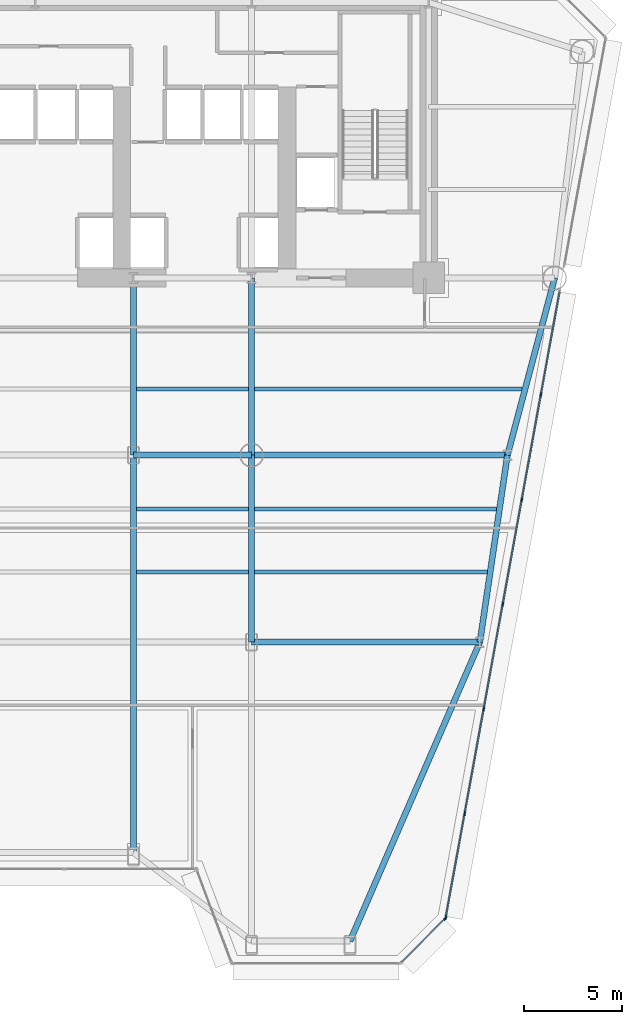
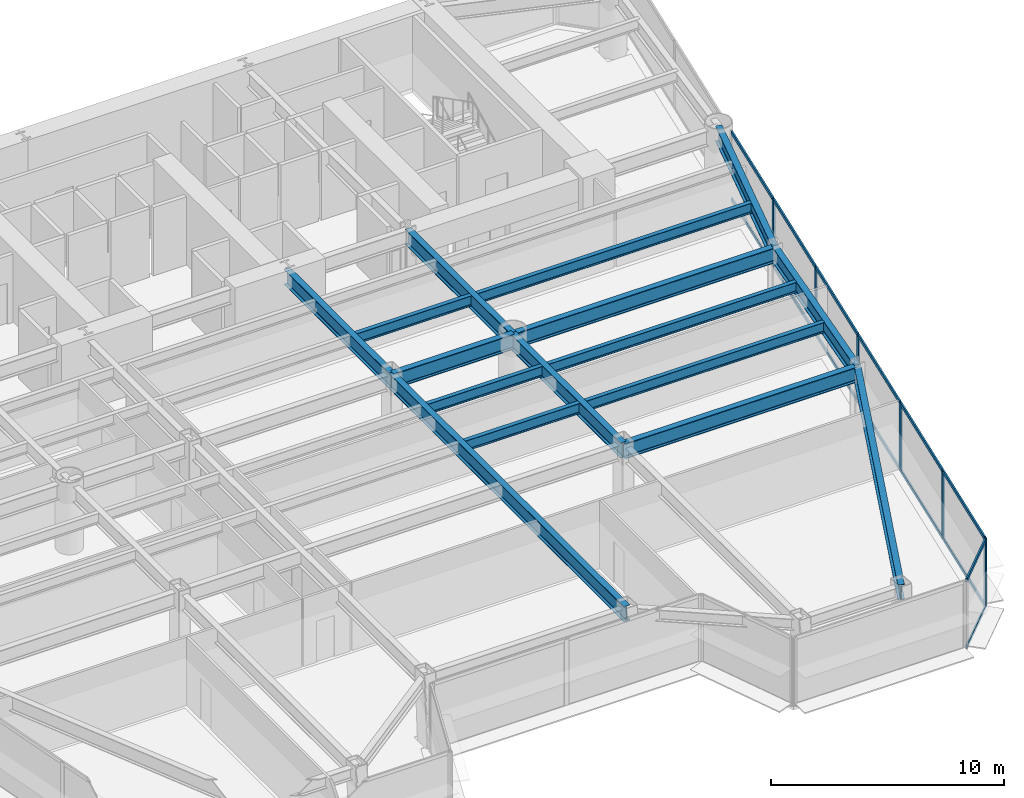
# One storey, part 4 of 14: 21 members, 16 beams, 2 elements without a shape of their own.
"""IFC4 building model written with IfcOpenShell, lengths in metres."""

import ifcopenshell
import ifcopenshell.guid

model = None  # the IFC model being written
_history = None  # IfcOwnerHistory: only IFC2X3 demands one
_inside = {}  # id of a spatial element -> (the spatial element, [elements in it])
_under = {}  # id of a project, library or spatial element -> (it, [spatial elements below it])
_declared = {}  # id of a project -> (the project, [libraries it declares])
_typed = {}  # id of a type object -> (the type object, [elements of that type])
_made_of = {}  # id of a material, layer set ... -> (it, [elements and type objects made of it])


def new_model(schema):
    """Start an empty IFC model of exactly this schema.

    Asked for "IFC4X3", IfcOpenShell would pick the latest addendum, in which some entities
    have other attributes; the version numbers below select the first issue.
    IFC2X3 requires an IfcOwnerHistory on every rooted entity: one is made here for all.
    """
    global model, _history
    if schema == "IFC4X3":
        model = ifcopenshell.file(schema_version=(4, 3, 0, 0))
    else:
        model = ifcopenshell.file(schema=schema)
    _inside.clear()
    _under.clear()
    _declared.clear()
    _typed.clear()
    _made_of.clear()
    _history = None
    if model.schema == "IFC2X3":
        org = make("IfcOrganization", Name="unknown")
        user = make(
            "IfcPersonAndOrganization",
            ThePerson=make("IfcPerson", FamilyName="unknown"),
            TheOrganization=org,
        )
        app = make(
            "IfcApplication",
            ApplicationDeveloper=org,
            Version="unknown",
            ApplicationFullName="unknown",
            ApplicationIdentifier="unknown",
        )
        _history = make(
            "IfcOwnerHistory",
            OwningUser=user,
            OwningApplication=app,
            ChangeAction="ADDED",
            CreationDate=0,
        )
    return model


def make(cls, **values):
    """One entity of the class cls with the attributes given. An attribute that is None is left unset."""
    return model.create_entity(
        cls, **{name: value for name, value in values.items() if value is not None}
    )


def rooted(cls, **values):
    """An entity with a GlobalId (a new one), such as an element, a storey or a relation."""
    return make(cls, GlobalId=ifcopenshell.guid.new(), OwnerHistory=_history, **values)


def si_unit(unit_type, name, prefix=None):
    """IfcSIUnit, for example si_unit("LENGTHUNIT", "METRE", prefix="MILLI")."""
    return make("IfcSIUnit", UnitType=unit_type, Prefix=prefix, Name=name)


def assignment(units):
    """IfcUnitAssignment: the units of a project."""
    return None if units is None else make("IfcUnitAssignment", Units=units)


def point(xyz):
    """IfcCartesianPoint."""
    return None if xyz is None else make("IfcCartesianPoint", Coordinates=xyz)


def direction(xyz):
    """IfcDirection."""
    return None if xyz is None else make("IfcDirection", DirectionRatios=xyz)


def frame(location, z_axis=None, x_axis=None):
    """IfcAxis2Placement3D, a coordinate frame: its origin and axes. An axis left out is left unset."""
    return make(
        "IfcAxis2Placement3D",
        Location=point(location),
        Axis=direction(z_axis),
        RefDirection=direction(x_axis),
    )


def frame_2d(location, x_axis=None):
    """IfcAxis2Placement2D, a coordinate frame in the plane: its origin and x axis."""
    return make(
        "IfcAxis2Placement2D", Location=point(location), RefDirection=direction(x_axis)
    )


def origin():
    """The frame at (0, 0, 0) with its axes left unset."""
    return frame((0.0, 0.0, 0.0))


def origin_2d():
    """The frame at (0, 0) in the plane with its x axis left unset."""
    return frame_2d((0.0, 0.0))


def place(relative_to, where):
    """IfcLocalPlacement: puts the frame where relative to a parent placement (None: the world)."""
    return make(
        "IfcLocalPlacement", PlacementRelTo=relative_to, RelativePlacement=where
    )


def context(
    kind, dimensions, precision=None, world=None, true_north=None, identifier=None
):
    """IfcGeometricRepresentationContext, for example the 3D "Model" context."""
    return make(
        "IfcGeometricRepresentationContext",
        ContextIdentifier=identifier,
        ContextType=kind,
        CoordinateSpaceDimension=dimensions,
        Precision=precision,
        WorldCoordinateSystem=world,
        TrueNorth=true_north,
    )


def subcontext(parent, identifier, kind, view, scale=None):
    """IfcGeometricRepresentationSubContext, for example "Body" below "Model"."""
    return make(
        "IfcGeometricRepresentationSubContext",
        ContextIdentifier=identifier,
        ContextType=kind,
        ParentContext=parent,
        TargetScale=scale,
        TargetView=view,
    )


def project(units=None, contexts=None):
    """IfcProject with its units and contexts."""
    return rooted(
        "IfcProject",
        Name="project",
        RepresentationContexts=contexts,
        UnitsInContext=assignment(units),
    )


def spatial(cls, under=None, at=None, **own):
    """A site, building, storey or space (cls), placed at a placement, below another one or the project."""
    s = rooted(cls, ObjectPlacement=at, **own)
    if under is not None:
        _under.setdefault(under.id(), (under, []))[1].append(s)
    return s


def profile(cls, at=None, kind="AREA", **sizes):
    """A parametric profile (cls). Its sizes go by their IFC names, for example OverallWidth=200.0."""
    return make(cls, ProfileType=kind, Position=at, **sizes)


def rectangle(**sizes):
    """IfcRectangleProfileDef."""
    return profile("IfcRectangleProfileDef", **sizes)


def i_section(**sizes):
    """IfcIShapeProfileDef."""
    return profile("IfcIShapeProfileDef", **sizes)


def extrude(swept, where, along, depth):
    """IfcExtrudedAreaSolid: the profile swept, set in the frame where, extruded along a direction by depth."""
    return make(
        "IfcExtrudedAreaSolid",
        SweptArea=swept,
        Position=where,
        ExtrudedDirection=direction(along),
        Depth=depth,
    )


def shape(context_of_items, identifier, shape_type, items):
    """IfcShapeRepresentation: the items that make up one representation, for example the "Body"."""
    return make(
        "IfcShapeRepresentation",
        ContextOfItems=context_of_items,
        RepresentationIdentifier=identifier,
        RepresentationType=shape_type,
        Items=items,
    )


def source(mapping_origin, context_of_items, identifier, shape_type, items):
    """IfcRepresentationMap: a shape defined once, which mapped items show again and again."""
    return make(
        "IfcRepresentationMap",
        MappingOrigin=mapping_origin,
        MappedRepresentation=shape(context_of_items, identifier, shape_type, items),
    )


def transform(
    local_origin,
    x_axis=None,
    y_axis=None,
    z_axis=None,
    scale=None,
    scale2=None,
    scale3=None,
    uniform=True,
):
    """IfcCartesianTransformationOperator3D, or its non-uniform kind. x_axis, y_axis, z_axis: its Axis1, 2, 3."""
    if uniform:
        return make(
            "IfcCartesianTransformationOperator3D",
            Axis1=direction(x_axis),
            Axis2=direction(y_axis),
            LocalOrigin=point(local_origin),
            Scale=scale,
            Axis3=direction(z_axis),
        )
    return make(
        "IfcCartesianTransformationOperator3DnonUniform",
        Axis1=direction(x_axis),
        Axis2=direction(y_axis),
        LocalOrigin=point(local_origin),
        Scale=scale,
        Axis3=direction(z_axis),
        Scale2=scale2,
        Scale3=scale3,
    )


def mapped(mapping_source, mapping_target):
    """IfcMappedItem: shows the shape of a source again, moved by a transform."""
    return make(
        "IfcMappedItem", MappingSource=mapping_source, MappingTarget=mapping_target
    )


def material(Name=None, Category=None):
    """IfcMaterial."""
    return make("IfcMaterial", Name=Name, Category=Category)


def layer(
    of_material, thickness, ventilated=None, Name=None, Category=None, Priority=None
):
    """IfcMaterialLayer: one layer of a wall or slab, of a material (None: an air gap)."""
    return make(
        "IfcMaterialLayer",
        Material=of_material,
        LayerThickness=thickness,
        IsVentilated=ventilated,
        Name=Name,
        Category=Category,
        Priority=Priority,
    )


def layer_set(layers, Name=None):
    """IfcMaterialLayerSet."""
    return make("IfcMaterialLayerSet", MaterialLayers=layers, LayerSetName=Name)


def material_profile(
    of_material, cross_section, Name=None, Category=None, Priority=None
):
    """IfcMaterialProfile: a cross section and its material."""
    return make(
        "IfcMaterialProfile",
        Name=Name,
        Material=of_material,
        Profile=cross_section,
        Priority=Priority,
        Category=Category,
    )


def profile_set(profiles, Name=None, composite=None):
    """IfcMaterialProfileSet."""
    return make(
        "IfcMaterialProfileSet",
        Name=Name,
        MaterialProfiles=profiles,
        CompositeProfile=composite,
    )


def made_of(thing, what):
    """Note that an element or type object is made of a material, layer set ...; save() writes the relation."""
    if what is not None:
        _made_of.setdefault(what.id(), (what, []))[1].append(thing)
    return thing


def type_object(cls, material=None, **own):
    """A type object (cls), such as IfcWallType, which elements share."""
    return made_of(rooted(cls, **own), material)


def element(
    cls,
    number,
    at=None,
    inside=None,
    cuts=None,
    type_object=None,
    material=None,
    context=None,
    identifier="Body",
    shape_type=None,
    held_by="IfcProductDefinitionShape",
    body=None,
    shapes=None,
    **own,
):
    """One element of the class cls, such as IfcWall. Its Tag is "e" and its number.

    at: its placement. inside: the storey or other place that contains it. cuts: it is an
    opening in that element (IfcRelVoidsElement). A single representation is given by context,
    identifier, shape_type and body (its items); several are given by shapes. held_by: the class
    of the entity that holds the representations. save() writes the other relations.
    """
    e = rooted(cls, Tag="e%d" % number, ObjectPlacement=at, **own)
    if body is not None:
        shapes = [shape(context, identifier, shape_type, body)]
    if shapes is not None:
        e.Representation = make(held_by, Representations=shapes)
    if inside is not None:
        _inside.setdefault(inside.id(), (inside, []))[1].append(e)
    if cuts is not None:
        rooted(
            "IfcRelVoidsElement", RelatingBuildingElement=cuts, RelatedOpeningElement=e
        )
    if type_object is not None:
        _typed.setdefault(type_object.id(), (type_object, []))[1].append(e)
    return made_of(e, material)


def aggregate(whole, parts):
    """IfcRelAggregates: a whole, such as a stair, and the parts it consists of."""
    return rooted("IfcRelAggregates", RelatingObject=whole, RelatedObjects=parts)


def save(model, path):
    """Write the relations noted so far, then the file.

    IfcRelAggregates (storeys below a building ...), IfcRelContainedInSpatialStructure (elements
    in a storey), IfcRelDefinesByType, IfcRelAssociatesMaterial and IfcRelDeclares: one each for
    every whole, place, type object, material and project.
    """
    for whole, parts in _under.values():
        aggregate(whole, parts)
    for where, things in _inside.values():
        rooted(
            "IfcRelContainedInSpatialStructure",
            RelatedElements=things,
            RelatingStructure=where,
        )
    for kind, things in _typed.values():
        rooted("IfcRelDefinesByType", RelatedObjects=things, RelatingType=kind)
    for what, things in _made_of.values():
        rooted("IfcRelAssociatesMaterial", RelatedObjects=things, RelatingMaterial=what)
    for by, libraries in _declared.values():
        rooted("IfcRelDeclares", RelatingContext=by, RelatedDefinitions=libraries)
    model.write(path)


model = new_model("IFC4")

# Units and contexts
model_context = context("Model", 3, precision=1e-05, world=origin(), true_north=direction((0.0, 1.0)))
body_context = subcontext(model_context, "Body", "Model", "MODEL_VIEW")
ifc_project = project(units=[si_unit("LENGTHUNIT", "METRE"), si_unit("AREAUNIT", "SQUARE_METRE"), si_unit("VOLUMEUNIT", "CUBIC_METRE"), si_unit("PLANEANGLEUNIT", "RADIAN"), si_unit("MASSUNIT", "GRAM", prefix="KILO")], contexts=[model_context])

# Site, building, storey
site_placement = place(None, origin())
site = spatial("IfcSite", under=ifc_project, at=site_placement, CompositionType="ELEMENT")
building_placement = place(site_placement, origin())
building = spatial("IfcBuilding", under=site, at=building_placement, Name="Vaeldorn Concourse Tower", CompositionType="ELEMENT")
storey_placement = place(building_placement, frame((0.0, 0.0, 45.39990234375)))
storey = spatial("IfcBuildingStorey", under=building, at=storey_placement, Name="L11", CompositionType="ELEMENT", Elevation=45.39990234375)

# Beams
ifc_material_1 = material(Name="Steel S355", Category="steel")
ifc_material_profile_1 = material_profile(ifc_material_1, i_section(OverallWidth=0.300048828125, OverallDepth=0.800048828125, WebThickness=0.017578125, FlangeThickness=0.032958984375, FilletRadius=0.030029296875, at=origin_2d()), Name="HEB 800")
ifc_profile_set_1 = profile_set([ifc_material_profile_1], Name="Steel S355")
beam_type_1 = type_object("IfcBeamType", Name="BM-PG-HEB800", PredefinedType="BEAM", material=ifc_profile_set_1)
shared_shape_1 = source(origin(), body_context, "Body", "SweptSolid", [
    extrude(i_section(OverallWidth=0.300048828125, OverallDepth=0.800048828125, WebThickness=0.017578125, FlangeThickness=0.032958984375, FilletRadius=0.030029296875, at=origin_2d()), origin(), (0.0, 0.0, 1.0), 6.0),
])
beam_1_placement = place(storey_placement, frame((39.0, 27.5, 3.18017578125), z_axis=(1.0, 0.0, 0.0), x_axis=(0.0, 1.0, 0.0)))
element("IfcBeam", 1, at=beam_1_placement, inside=storey, type_object=beam_type_1, Name="Beam BM-L11-C-TW3-C-TW4", PredefinedType="BEAM", context=body_context, shape_type="MappedRepresentation", body=[
    mapped(shared_shape_1, transform((0.0, 0.0, 0.0), scale=1.0)),
])
shared_shape_2 = source(origin(), body_context, "Body", "SweptSolid", [
    extrude(i_section(OverallWidth=0.300048828125, OverallDepth=0.800048828125, WebThickness=0.017578125, FlangeThickness=0.032958984375, FilletRadius=0.030029296875, at=origin_2d()), origin(), (0.0, 0.0, 1.0), 9.0),
])
for number, where, z_axis, x_axis, name in (
    (2, (39.0, 27.5, 3.18017578125), (0.0, 1.0, 0.0), (-1.0, 0.0, 0.0), "Beam BM-L11-C-TW3-C-FC4"),
    (3, (45.0, 27.5, 3.18017578125), (0.0, 1.0, 0.0), (-1.0, 0.0, 0.0), "Beam BM-L11-C-TW4-C-FC5"),
):
    element("IfcBeam", number, at=place(storey_placement, frame(where, z_axis=z_axis, x_axis=x_axis)), inside=storey, type_object=beam_type_1, Name=name, PredefinedType="BEAM", context=body_context, shape_type="MappedRepresentation", body=[
        mapped(shared_shape_2, transform((0.0, 0.0, 0.0), scale=1.0)),
    ])
shared_shape_3 = source(origin(), body_context, "Body", "SweptSolid", [
    extrude(i_section(OverallWidth=0.300048828125, OverallDepth=0.800048828125, WebThickness=0.017578125, FlangeThickness=0.032958984375, FilletRadius=0.030029296875, at=origin_2d()), origin(), (0.0, 0.0, 1.0), 9.314453125),
])
beam_2_placement = place(storey_placement, frame((60.39990234375, 36.5, 3.18017578125), z_axis=(-0.257652862255, -0.966237549763, 0.0), x_axis=(0.966237549763, -0.257652862255, 0.0)))
element("IfcBeam", 4, at=beam_2_placement, inside=storey, type_object=beam_type_1, Name="Beam BM-L11-C-NE2-C-FLE1", PredefinedType="BEAM", context=body_context, shape_type="MappedRepresentation", body=[
    mapped(shared_shape_3, transform((0.0, 0.0, 0.0), scale=1.0)),
])
shared_shape_4 = source(origin(), body_context, "Body", "SweptSolid", [
    extrude(i_section(OverallWidth=0.300048828125, OverallDepth=0.800048828125, WebThickness=0.017578125, FlangeThickness=0.032958984375, FilletRadius=0.030029296875, at=origin_2d()), origin(), (0.0, 0.0, 1.0), 13.0),
])
beam_3_placement = place(storey_placement, frame((45.0, 27.5, 3.18017578125), z_axis=(1.0, 0.0, 0.0), x_axis=(0.0, 1.0, 0.0)))
element("IfcBeam", 5, at=beam_3_placement, inside=storey, type_object=beam_type_1, Name="Beam BM-L11-C-TW4-C-FLE1", PredefinedType="BEAM", context=body_context, shape_type="MappedRepresentation", body=[
    mapped(shared_shape_4, transform((0.0, 0.0, 0.0), scale=1.0)),
])
shared_shape_5 = source(origin(), body_context, "Body", "SweptSolid", [
    extrude(i_section(OverallWidth=0.300048828125, OverallDepth=0.800048828125, WebThickness=0.017578125, FlangeThickness=0.032958984375, FilletRadius=0.030029296875, at=origin_2d()), origin(), (0.0, 0.0, 1.0), 9.6025390625),
])
beam_4_placement = place(storey_placement, frame((58.0, 27.5, 3.18017578125), z_axis=(-0.145783835977, -0.989316467652, 0.0), x_axis=(0.989316467652, -0.145783835977, 0.0)))
element("IfcBeam", 6, at=beam_4_placement, inside=storey, type_object=beam_type_1, Name="Beam BM-L11-C-FLE1-C-FLE2", PredefinedType="BEAM", context=body_context, shape_type="MappedRepresentation", body=[
    mapped(shared_shape_5, transform((0.0, 0.0, 0.0), scale=1.0)),
])
shared_shape_6 = source(origin(), body_context, "Body", "SweptSolid", [
    extrude(i_section(OverallWidth=0.300048828125, OverallDepth=0.800048828125, WebThickness=0.017578125, FlangeThickness=0.032958984375, FilletRadius=0.030029296875, at=origin_2d()), origin(), (0.0, 0.0, 1.0), 11.60009765625),
])
beam_5_placement = place(storey_placement, frame((45.0, 18.0, 3.18017578125), z_axis=(1.0, 0.0, 0.0), x_axis=(0.0, 1.0, 0.0)))
element("IfcBeam", 7, at=beam_5_placement, inside=storey, type_object=beam_type_1, Name="Beam BM-L11-C-TW6-C-FLE2", PredefinedType="BEAM", context=body_context, shape_type="MappedRepresentation", body=[
    mapped(shared_shape_6, transform((0.0, 0.0, 0.0), scale=1.0)),
])
shared_shape_7 = source(origin(), body_context, "Body", "SweptSolid", [
    extrude(i_section(OverallWidth=0.300048828125, OverallDepth=0.800048828125, WebThickness=0.017578125, FlangeThickness=0.032958984375, FilletRadius=0.030029296875, at=origin_2d()), origin(), (0.0, 0.0, 1.0), 9.5),
])
beam_6_placement = place(storey_placement, frame((45.0, 18.0, 3.18017578125), z_axis=(0.0, 1.0, 0.0), x_axis=(-1.0, 0.0, 0.0)))
element("IfcBeam", 8, at=beam_6_placement, inside=storey, type_object=beam_type_1, Name="Beam BM-L11-C-TW6-C-TW4", PredefinedType="BEAM", context=body_context, shape_type="MappedRepresentation", body=[
    mapped(shared_shape_7, transform((0.0, 0.0, 0.0), scale=1.0)),
])
ifc_material_profile_2 = material_profile(ifc_material_1, i_section(OverallWidth=0.2099609375, OverallDepth=0.550048828125, WebThickness=0.010986328125, FlangeThickness=0.01708984375, FilletRadius=0.02392578125, at=origin_2d()), Name="IPE 550")
ifc_profile_set_2 = profile_set([ifc_material_profile_2], Name="Steel S355")
beam_type_2 = type_object("IfcBeamType", Name="BM-JS-IPE550", PredefinedType="JOIST", material=ifc_profile_set_2)
shared_shape_8 = source(origin(), body_context, "Body", "SweptSolid", [
    extrude(i_section(OverallWidth=0.2099609375, OverallDepth=0.550048828125, WebThickness=0.010986328125, FlangeThickness=0.01708984375, FilletRadius=0.02392578125, at=origin_2d()), origin(), (0.0, 0.0, 1.0), 5.7001953125),
])
for number, where, z_axis, x_axis, name in (
    (9, (39.14990234375, 21.56005859375, 3.30517578125), (1.0, 0.0, 0.0), (0.0, 1.0, 0.0), "Beam JS-L11-E2-215"),
    (10, (39.14990234375, 24.760009765625, 3.30517578125), (1.0, 0.0, 0.0), (0.0, 1.0, 0.0), "Beam JS-L11-E2-247"),
    (11, (39.14990234375, 30.860107421875, 3.30517578125), (1.0, 0.0, 0.0), (0.0, 1.0, 0.0), "Beam JS-L11-E2-308"),
):
    element("IfcBeam", number, at=place(storey_placement, frame(where, z_axis=z_axis, x_axis=x_axis)), inside=storey, type_object=beam_type_2, Name=name, PredefinedType="JOIST", context=body_context, shape_type="MappedRepresentation", body=[
        mapped(shared_shape_8, transform((0.0, 0.0, 0.0), scale=1.0)),
    ])
shared_shape_9 = source(origin(), body_context, "Body", "SweptSolid", [
    extrude(i_section(OverallWidth=0.2099609375, OverallDepth=0.550048828125, WebThickness=0.010986328125, FlangeThickness=0.01708984375, FilletRadius=0.02392578125, at=origin_2d()), origin(), (0.0, 0.0, 1.0), 11.82470703125),
])
beam_7_placement = place(storey_placement, frame((45.14990234375, 21.56005859375, 3.30517578125), z_axis=(1.0, 0.0, 0.0), x_axis=(0.0, 1.0, 0.0)))
element("IfcBeam", 12, at=beam_7_placement, inside=storey, type_object=beam_type_2, Name="Beam JS-L11-E1-215", PredefinedType="JOIST", context=body_context, shape_type="MappedRepresentation", body=[
    mapped(shared_shape_9, transform((0.0, 0.0, 0.0), scale=1.0)),
])
shared_shape_10 = source(origin(), body_context, "Body", "SweptSolid", [
    extrude(i_section(OverallWidth=0.2099609375, OverallDepth=0.550048828125, WebThickness=0.010986328125, FlangeThickness=0.01708984375, FilletRadius=0.02392578125, at=origin_2d()), origin(), (0.0, 0.0, 1.0), 12.29638671875),
])
beam_8_placement = place(storey_placement, frame((45.14990234375, 24.760009765625, 3.30517578125), z_axis=(1.0, 0.0, 0.0), x_axis=(0.0, 1.0, 0.0)))
element("IfcBeam", 13, at=beam_8_placement, inside=storey, type_object=beam_type_2, Name="Beam JS-L11-E1-247", PredefinedType="JOIST", context=body_context, shape_type="MappedRepresentation", body=[
    mapped(shared_shape_10, transform((0.0, 0.0, 0.0), scale=1.0)),
])
shared_shape_11 = source(origin(), body_context, "Body", "SweptSolid", [
    extrude(i_section(OverallWidth=0.2099609375, OverallDepth=0.550048828125, WebThickness=0.010986328125, FlangeThickness=0.01708984375, FilletRadius=0.02392578125, at=origin_2d()), origin(), (0.0, 0.0, 1.0), 13.59619140625),
])
beam_9_placement = place(storey_placement, frame((45.14990234375, 30.860107421875, 3.30517578125), z_axis=(1.0, 0.0, 0.0), x_axis=(0.0, 1.0, 0.0)))
element("IfcBeam", 14, at=beam_9_placement, inside=storey, type_object=beam_type_2, Name="Beam JS-L11-E1-308", PredefinedType="JOIST", context=body_context, shape_type="MappedRepresentation", body=[
    mapped(shared_shape_11, transform((0.0, 0.0, 0.0), scale=1.0)),
])
shared_shape_12 = source(origin(), body_context, "Body", "SweptSolid", [
    extrude(i_section(OverallWidth=0.300048828125, OverallDepth=0.800048828125, WebThickness=0.017578125, FlangeThickness=0.032958984375, FilletRadius=0.030029296875, at=origin_2d()), origin(), (0.0, 0.0, 1.0), 16.5595703125),
])
beam_10_placement = place(storey_placement, frame((50.0, 2.8125, 3.18017578125), z_axis=(0.398565454531, 0.917139890341, 0.0), x_axis=(-0.917139890341, 0.398565454531, 0.0)))
element("IfcBeam", 15, at=beam_10_placement, inside=storey, type_object=beam_type_1, Name="Beam BM-L11-C-SF6-C-FLE2", PredefinedType="BEAM", context=body_context, shape_type="MappedRepresentation", body=[
    mapped(shared_shape_12, transform((0.0, 0.0, 0.0), scale=1.0)),
])
shared_shape_13 = source(origin(), body_context, "Body", "SweptSolid", [
    extrude(i_section(OverallWidth=0.300048828125, OverallDepth=0.800048828125, WebThickness=0.017578125, FlangeThickness=0.032958984375, FilletRadius=0.030029296875, at=origin_2d()), origin(), (0.0, 0.0, 1.0), 20.1875),
])
beam_11_placement = place(storey_placement, frame((39.0, 7.3125, 3.18017578125), z_axis=(0.0, 1.0, 0.0), x_axis=(-1.0, 0.0, 0.0)))
element("IfcBeam", 16, at=beam_11_placement, inside=storey, type_object=beam_type_1, Name="Beam BM-L11-C-SF4-C-TW3", PredefinedType="BEAM", context=body_context, shape_type="MappedRepresentation", body=[
    mapped(shared_shape_13, transform((0.0, 0.0, 0.0), scale=1.0)),
])

# Curtain wall, members
ifc_material_2 = material(Name="Anodised Bronze Aluminium", Category="aluminium")
ifc_layer = layer(ifc_material_2, 0.219970703125)
ifc_layer_set = layer_set([ifc_layer], Name="Anodised Bronze Aluminium")
curtain_wall_type = type_object("IfcCurtainWallType", Name="CW-SYS-01", PredefinedType="NOTDEFINED", material=ifc_layer_set)
curtain_wall_1_placement = place(storey_placement, origin())
curtain_wall_1 = element("IfcCurtainWall", 17, at=curtain_wall_1_placement, inside=storey, type_object=curtain_wall_type, Name="Unitised Curtain Wall CW-L11-E06-1", PredefinedType="NOTDEFINED")
ifc_material_profile_3 = material_profile(ifc_material_2, rectangle(XDim=0.074951171875, YDim=0.179931640625, at=origin_2d()), Name="CWT 75x180")
ifc_profile_set_3 = profile_set([ifc_material_profile_3], Name="Anodised Bronze Aluminium")
member_type_1 = type_object("IfcMemberType", Name="CWT-BRONZE-180", PredefinedType="USERDEFINED", material=ifc_profile_set_3)
shared_shape_14 = source(origin(), body_context, "Body", "SweptSolid", [
    extrude(rectangle(XDim=0.074951171875, YDim=0.179931640625, at=origin_2d()), origin(), (0.0, 0.0, 1.0), 3.102783203125),
])
member_1_placement = place(storey_placement, frame((52.614013671875, 1.7265625, 0.03759765625), z_axis=(0.707146122816, 0.707067437368, 0.0), x_axis=(-0.707067437368, 0.707146122816, 0.0)))
member_1 = element("IfcMember", 18, at=member_1_placement, type_object=member_type_1, Name="CW-01 transom 1.1", ObjectType="TRANSOM", PredefinedType="USERDEFINED", context=body_context, shape_type="MappedRepresentation", body=[
    mapped(shared_shape_14, transform((0.0, 0.0, 0.0), scale=1.0)),
])
member_2_placement = place(storey_placement, frame((52.614013671875, 1.7265625, 3.54248046875), z_axis=(0.707146122816, 0.707067437368, 0.0), x_axis=(-0.707067437368, 0.707146122816, 0.0)))
member_2 = element("IfcMember", 19, at=member_2_placement, type_object=member_type_1, Name="CW-01 transom 1.2", ObjectType="TRANSOM", PredefinedType="USERDEFINED", context=body_context, shape_type="MappedRepresentation", body=[
    mapped(shared_shape_14, transform((0.0, 0.0, 0.0), scale=1.0)),
])
ifc_material_profile_4 = material_profile(ifc_material_2, rectangle(XDim=0.074951171875, YDim=0.219970703125, at=origin_2d()), Name="CWM 75x220")
ifc_profile_set_4 = profile_set([ifc_material_profile_4], Name="Anodised Bronze Aluminium")
member_type_2 = type_object("IfcMemberType", Name="CWM-BRONZE-220", PredefinedType="MULLION", material=ifc_profile_set_4)
shared_shape_15 = source(origin(), body_context, "Body", "SweptSolid", [
    extrude(rectangle(XDim=0.074951171875, YDim=0.219970703125, at=origin_2d()), origin(), (0.0, 0.0, 1.0), 3.580078125),
])
member_3_placement = place(storey_placement, frame((54.83447265625, 3.947021484375, 0.0), z_axis=(0.0, 0.0, 1.0), x_axis=(-0.707106781187, 0.707106781187, 0.0)))
member_3 = element("IfcMember", 20, at=member_3_placement, type_object=member_type_2, Name="CW-01 mullion 2", PredefinedType="MULLION", context=body_context, shape_type="MappedRepresentation", body=[
    mapped(shared_shape_15, transform((0.0, 0.0, 0.0), scale=1.0)),
])
aggregate(curtain_wall_1, [member_3, member_1, member_2])

curtain_wall_2_placement = place(storey_placement, origin())
curtain_wall_2 = element("IfcCurtainWall", 21, at=curtain_wall_2_placement, inside=storey, type_object=curtain_wall_type, Name="Unitised Curtain Wall CW-L11-E07-1", PredefinedType="NOTDEFINED")
member_4_placement = place(storey_placement, frame((54.867919921875, 4.010498046875, 0.0), z_axis=(0.0, 0.0, 1.0), x_axis=(-0.983843702363, 0.179029520807, 0.0)))
member_4 = element("IfcMember", 22, at=member_4_placement, type_object=member_type_2, Name="CW-01 mullion 1", PredefinedType="MULLION", context=body_context, shape_type="MappedRepresentation", body=[
    mapped(shared_shape_15, transform((0.0, 0.0, 0.0), scale=1.0)),
])
member_5_placement = place(storey_placement, frame((55.828857421875, 9.291259765625, 0.0), z_axis=(0.0, 0.0, 1.0), x_axis=(-0.983843702363, 0.179029520807, 0.0)))
member_5 = element("IfcMember", 23, at=member_5_placement, type_object=member_type_2, Name="CW-01 mullion 2", PredefinedType="MULLION", context=body_context, shape_type="MappedRepresentation", body=[
    mapped(shared_shape_15, transform((0.0, 0.0, 0.0), scale=1.0)),
])
member_6_placement = place(storey_placement, frame((56.79638671875, 14.609130859375, 0.0), z_axis=(0.0, 0.0, 1.0), x_axis=(-0.983843702363, 0.179029520807, 0.0)))
member_6 = element("IfcMember", 24, at=member_6_placement, type_object=member_type_2, Name="CW-01 mullion 3", PredefinedType="MULLION", context=body_context, shape_type="MappedRepresentation", body=[
    mapped(shared_shape_15, transform((0.0, 0.0, 0.0), scale=1.0)),
])
member_7_placement = place(storey_placement, frame((57.76416015625, 19.927001953125, 0.0), z_axis=(0.0, 0.0, 1.0), x_axis=(-0.983843702363, 0.179029520807, 0.0)))
member_7 = element("IfcMember", 25, at=member_7_placement, type_object=member_type_2, Name="CW-01 mullion 4", PredefinedType="MULLION", context=body_context, shape_type="MappedRepresentation", body=[
    mapped(shared_shape_15, transform((0.0, 0.0, 0.0), scale=1.0)),
])
member_8_placement = place(storey_placement, frame((58.73193359375, 25.244873046875, 0.0), z_axis=(0.0, 0.0, 1.0), x_axis=(-0.983843702363, 0.179029520807, 0.0)))
member_8 = element("IfcMember", 26, at=member_8_placement, type_object=member_type_2, Name="CW-01 mullion 5", PredefinedType="MULLION", context=body_context, shape_type="MappedRepresentation", body=[
    mapped(shared_shape_15, transform((0.0, 0.0, 0.0), scale=1.0)),
])
member_9_placement = place(storey_placement, frame((59.699462890625, 30.562744140625, 0.0), z_axis=(0.0, 0.0, 1.0), x_axis=(-0.983843702363, 0.179029520807, 0.0)))
member_9 = element("IfcMember", 27, at=member_9_placement, type_object=member_type_2, Name="CW-01 mullion 6", PredefinedType="MULLION", context=body_context, shape_type="MappedRepresentation", body=[
    mapped(shared_shape_15, transform((0.0, 0.0, 0.0), scale=1.0)),
])
shared_shape_16 = source(origin(), body_context, "Body", "SweptSolid", [
    extrude(rectangle(XDim=0.074951171875, YDim=0.179931640625, at=origin_2d()), origin(), (0.0, 0.0, 1.0), 5.29248046875),
])
member_10_placement = place(storey_placement, frame((54.87451171875, 4.04736328125, 0.03759765625), z_axis=(0.179027514342, 0.983844067476, 0.0), x_axis=(-0.983844067476, 0.179027514342, 0.0)))
member_10 = element("IfcMember", 28, at=member_10_placement, type_object=member_type_1, Name="CW-01 transom 1.1", ObjectType="TRANSOM", PredefinedType="USERDEFINED", context=body_context, shape_type="MappedRepresentation", body=[
    mapped(shared_shape_16, transform((0.0, 0.0, 0.0), scale=1.0)),
])
member_11_placement = place(storey_placement, frame((54.87451171875, 4.04736328125, 3.54248046875), z_axis=(0.179027514342, 0.983844067476, 0.0), x_axis=(-0.983844067476, 0.179027514342, 0.0)))
member_11 = element("IfcMember", 29, at=member_11_placement, type_object=member_type_1, Name="CW-01 transom 1.2", ObjectType="TRANSOM", PredefinedType="USERDEFINED", context=body_context, shape_type="MappedRepresentation", body=[
    mapped(shared_shape_16, transform((0.0, 0.0, 0.0), scale=1.0)),
])
member_12_placement = place(storey_placement, frame((59.706298828125, 30.599609375, 0.03759765625), z_axis=(0.179027514342, 0.983844067476, 0.0), x_axis=(-0.983844067476, 0.179027514342, 0.0)))
member_12 = element("IfcMember", 30, at=member_12_placement, type_object=member_type_1, Name="CW-01 transom 6.1", ObjectType="TRANSOM", PredefinedType="USERDEFINED", context=body_context, shape_type="MappedRepresentation", body=[
    mapped(shared_shape_16, transform((0.0, 0.0, 0.0), scale=1.0)),
])
member_13_placement = place(storey_placement, frame((59.706298828125, 30.599609375, 3.54248046875), z_axis=(0.179027514342, 0.983844067476, 0.0), x_axis=(-0.983844067476, 0.179027514342, 0.0)))
member_13 = element("IfcMember", 31, at=member_13_placement, type_object=member_type_1, Name="CW-01 transom 6.2", ObjectType="TRANSOM", PredefinedType="USERDEFINED", context=body_context, shape_type="MappedRepresentation", body=[
    mapped(shared_shape_16, transform((0.0, 0.0, 0.0), scale=1.0)),
])
shared_shape_17 = source(origin(), body_context, "Body", "SweptSolid", [
    extrude(rectangle(XDim=0.074951171875, YDim=0.179931640625, at=origin_2d()), origin(), (0.0, 0.0, 1.0), 5.330322265625),
])
member_14_placement = place(storey_placement, frame((55.83544921875, 9.328125, 0.03759765625), z_axis=(0.179042630675, 0.983841316677, 0.0), x_axis=(-0.983841316677, 0.179042630675, 0.0)))
member_14 = element("IfcMember", 32, at=member_14_placement, type_object=member_type_1, Name="CW-01 transom 2.1", ObjectType="TRANSOM", PredefinedType="USERDEFINED", context=body_context, shape_type="MappedRepresentation", body=[
    mapped(shared_shape_17, transform((0.0, 0.0, 0.0), scale=1.0)),
])
member_15_placement = place(storey_placement, frame((55.83544921875, 9.328125, 3.54248046875), z_axis=(0.179042630675, 0.983841316677, 0.0), x_axis=(-0.983841316677, 0.179042630675, 0.0)))
member_15 = element("IfcMember", 33, at=member_15_placement, type_object=member_type_1, Name="CW-01 transom 2.2", ObjectType="TRANSOM", PredefinedType="USERDEFINED", context=body_context, shape_type="MappedRepresentation", body=[
    mapped(shared_shape_17, transform((0.0, 0.0, 0.0), scale=1.0)),
])
member_16_placement = place(storey_placement, frame((56.80322265625, 14.64599609375, 0.03759765625), z_axis=(0.178998295723, 0.983849383863, 0.0), x_axis=(-0.983849383863, 0.178998295723, 0.0)))
member_16 = element("IfcMember", 34, at=member_16_placement, type_object=member_type_1, Name="CW-01 transom 3.1", ObjectType="TRANSOM", PredefinedType="USERDEFINED", context=body_context, shape_type="MappedRepresentation", body=[
    mapped(shared_shape_17, transform((0.0, 0.0, 0.0), scale=1.0)),
])
member_17_placement = place(storey_placement, frame((56.80322265625, 14.64599609375, 3.54248046875), z_axis=(0.178998295723, 0.983849383863, 0.0), x_axis=(-0.983849383863, 0.178998295723, 0.0)))
member_17 = element("IfcMember", 35, at=member_17_placement, type_object=member_type_1, Name="CW-01 transom 3.2", ObjectType="TRANSOM", PredefinedType="USERDEFINED", context=body_context, shape_type="MappedRepresentation", body=[
    mapped(shared_shape_17, transform((0.0, 0.0, 0.0), scale=1.0)),
])
member_18_placement = place(storey_placement, frame((57.770751953125, 19.9638671875, 0.03759765625), z_axis=(0.179042630675, 0.983841316677, 0.0), x_axis=(-0.983841316677, 0.179042630675, 0.0)))
member_18 = element("IfcMember", 36, at=member_18_placement, type_object=member_type_1, Name="CW-01 transom 4.1", ObjectType="TRANSOM", PredefinedType="USERDEFINED", context=body_context, shape_type="MappedRepresentation", body=[
    mapped(shared_shape_17, transform((0.0, 0.0, 0.0), scale=1.0)),
])
member_19_placement = place(storey_placement, frame((57.770751953125, 19.9638671875, 3.54248046875), z_axis=(0.179042630675, 0.983841316677, 0.0), x_axis=(-0.983841316677, 0.179042630675, 0.0)))
member_19 = element("IfcMember", 37, at=member_19_placement, type_object=member_type_1, Name="CW-01 transom 4.2", ObjectType="TRANSOM", PredefinedType="USERDEFINED", context=body_context, shape_type="MappedRepresentation", body=[
    mapped(shared_shape_17, transform((0.0, 0.0, 0.0), scale=1.0)),
])
member_20_placement = place(storey_placement, frame((58.738525390625, 25.28173828125, 0.03759765625), z_axis=(0.179042630675, 0.983841316677, 0.0), x_axis=(-0.983841316677, 0.179042630675, 0.0)))
member_20 = element("IfcMember", 38, at=member_20_placement, type_object=member_type_1, Name="CW-01 transom 5.1", ObjectType="TRANSOM", PredefinedType="USERDEFINED", context=body_context, shape_type="MappedRepresentation", body=[
    mapped(shared_shape_17, transform((0.0, 0.0, 0.0), scale=1.0)),
])
member_21_placement = place(storey_placement, frame((58.738525390625, 25.28173828125, 3.54248046875), z_axis=(0.179042630675, 0.983841316677, 0.0), x_axis=(-0.983841316677, 0.179042630675, 0.0)))
member_21 = element("IfcMember", 39, at=member_21_placement, type_object=member_type_1, Name="CW-01 transom 5.2", ObjectType="TRANSOM", PredefinedType="USERDEFINED", context=body_context, shape_type="MappedRepresentation", body=[
    mapped(shared_shape_17, transform((0.0, 0.0, 0.0), scale=1.0)),
])
aggregate(curtain_wall_2, [member_4, member_5, member_6, member_7, member_8, member_9, member_10, member_11, member_14, member_15, member_16, member_17, member_18, member_19, member_20, member_21, member_12, member_13])

save(model, "model.ifc")
